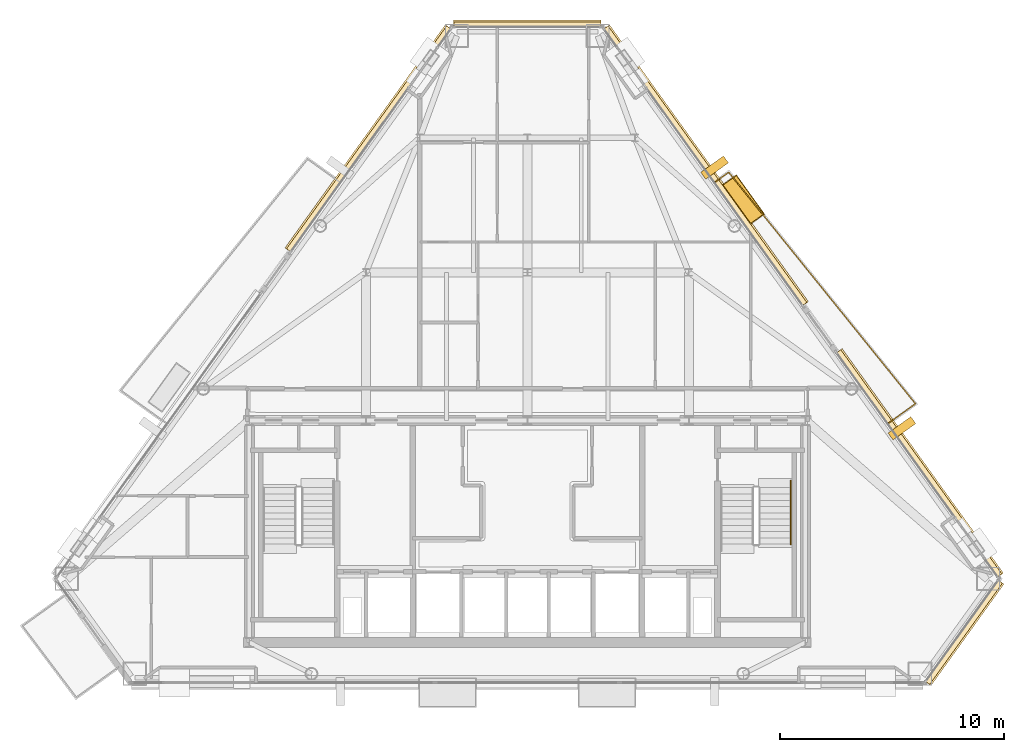
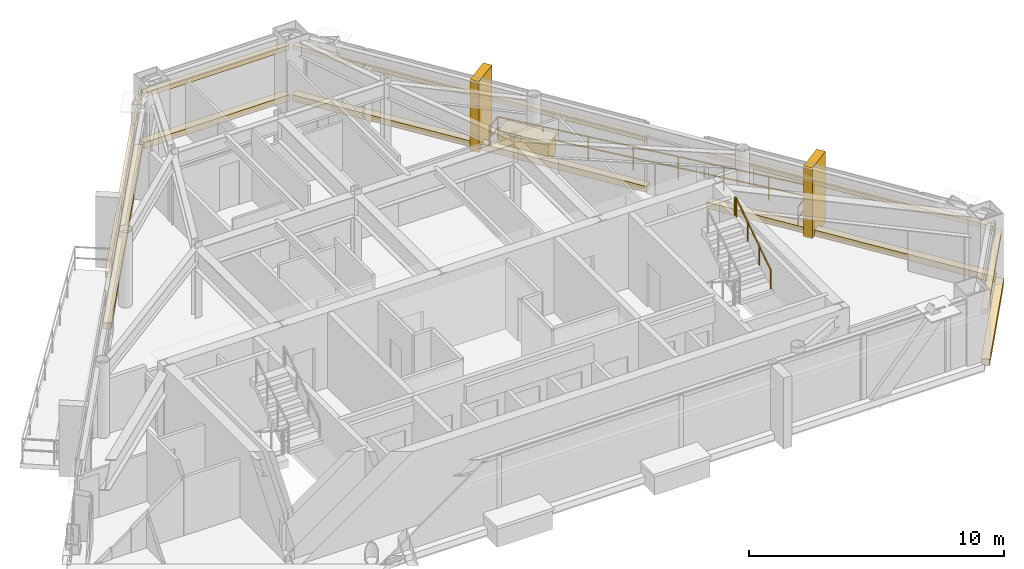
# One storey, part 11 of 11: 14 coverings, 2 railings.
"""IFC4 building model written with IfcOpenShell, lengths in metres."""

from ifc_helpers import new_model, si_unit, direction, frame, origin, origin_2d, place, context, subcontext, project, spatial, rectangle, extrude, material, layer, layer_set, type_object, element, save


model = new_model("IFC4")

# Units and contexts
model_context = context("Model", 3, precision=1e-05, world=origin(), true_north=direction((0.0, 1.0)))
body_context = subcontext(model_context, "Body", "Model", "MODEL_VIEW")
ifc_project = project(units=[si_unit("LENGTHUNIT", "METRE"), si_unit("AREAUNIT", "SQUARE_METRE"), si_unit("VOLUMEUNIT", "CUBIC_METRE"), si_unit("PLANEANGLEUNIT", "RADIAN"), si_unit("MASSUNIT", "GRAM", prefix="KILO")], contexts=[model_context])

# Site, building, storey
site_placement = place(None, origin())
site = spatial("IfcSite", under=ifc_project, at=site_placement, CompositionType="ELEMENT")
building_placement = place(site_placement, origin())
building = spatial("IfcBuilding", under=site, at=building_placement, Name="Talgorran Terracotta Tower", CompositionType="ELEMENT")
storey_placement = place(building_placement, frame((0.0, 0.0, 203.699951171875)))
storey = spatial("IfcBuildingStorey", under=building, at=storey_placement, Name="L53", CompositionType="ELEMENT", Elevation=203.699951171875)

# Coverings
ifc_material_1 = material(Name="Kiln-Fired Terracotta Ochre Ceramic", Category="masonry")
ifc_layer_1 = layer(ifc_material_1, 0.179931640625, Name="COV_BAGUETTE_TERRACOTTA_SCREEN")
ifc_layer_set_1 = layer_set([ifc_layer_1], Name="Kiln-Fired Terracotta Ochre Ceramic")
covering_type_1 = type_object("IfcCoveringType", Name="COV_BAGUETTE_TERRACOTTA_SCREEN", PredefinedType="CLADDING", material=ifc_layer_set_1)
covering_1_placement = place(storey_placement, frame((19.459716796875, -13.6416015625, 2.41015625), z_axis=(0.0, 0.0, 1.0), x_axis=(0.583555384799, 0.812073342053, 0.0)))
element("IfcCovering", 1, at=covering_1_placement, inside=storey, type_object=covering_type_1, Name="L53 Terracotta Baguette Solar Screen Assembly F2", PredefinedType="CLADDING", context=body_context, shape_type="SweptSolid", body=[
    extrude(rectangle(XDim=5.557861328125, YDim=0.260009765625, at=origin_2d()), origin(), (0.0, 0.0, 1.0), 0.219970703125),
])
covering_2_placement = place(storey_placement, frame((17.466552734375, -6.1240234375, 2.41015625), z_axis=(0.0, 0.0, 1.0), x_axis=(-0.583555384799, 0.812073342053, 0.0)))
element("IfcCovering", 2, at=covering_2_placement, inside=storey, type_object=covering_type_1, Name="L53 Terracotta Baguette Solar Screen Assembly F40", PredefinedType="CLADDING", context=body_context, shape_type="SweptSolid", body=[
    extrude(rectangle(XDim=12.30859375, YDim=0.260009765625, at=origin_2d()), origin(), (0.0, 0.0, 1.0), 0.219970703125),
])
covering_3_placement = place(storey_placement, frame((7.926513671875, 7.15185546875, 2.41015625), z_axis=(0.0, 0.0, 1.0), x_axis=(-0.583555384799, 0.812073342053, 0.0)))
element("IfcCovering", 3, at=covering_3_placement, inside=storey, type_object=covering_type_1, Name="L53 Terracotta Baguette Solar Screen Assembly F41", PredefinedType="CLADDING", context=body_context, shape_type="SweptSolid", body=[
    extrude(rectangle(XDim=15.187744140625, YDim=0.260009765625, at=origin_2d()), origin(), (0.0, 0.0, 1.0), 0.219970703125),
])
covering_4_placement = place(storey_placement, frame((0.0, 13.44970703125, 2.41015625), z_axis=(0.0, 0.0, 1.0), x_axis=(-1.0, 0.0, 0.0)))
element("IfcCovering", 4, at=covering_4_placement, inside=storey, type_object=covering_type_1, Name="L53 Terracotta Baguette Solar Screen Assembly F4", PredefinedType="CLADDING", context=body_context, shape_type="SweptSolid", body=[
    extrude(rectangle(XDim=6.5595703125, YDim=0.260009765625, at=origin_2d()), origin(), (0.0, 0.0, 1.0), 0.219970703125),
])
covering_5_placement = place(storey_placement, frame((-7.0654296875, 8.350341796875, 2.41015625), z_axis=(0.0, 0.0, 1.0), x_axis=(-0.583555384799, -0.812073342053, 0.0)))
element("IfcCovering", 5, at=covering_5_placement, inside=storey, type_object=covering_type_1, Name="L53 Terracotta Baguette Solar Screen Assembly F60", PredefinedType="CLADDING", context=body_context, shape_type="SweptSolid", body=[
    extrude(rectangle(XDim=12.236083984375, YDim=0.260009765625, at=origin_2d()), origin(), (0.0, 0.0, 1.0), 0.219970703125),
])
ifc_material_2 = material(Name="Honed Limestone and Terracotta Planter", Category="masonry")
ifc_layer_2 = layer(ifc_material_2, 0.1201171875, Name="COV_PLANTER_BOX")
ifc_layer_set_2 = layer_set([ifc_layer_2], Name="Honed Limestone and Terracotta Planter")
covering_type_2 = type_object("IfcCoveringType", Name="COV_PLANTER_BOX", PredefinedType="CLADDING", material=ifc_layer_set_2)
covering_6_placement = place(storey_placement, frame((9.640380859375, 5.65625, -0.02001953125), z_axis=(0.0, 0.0, 1.0), x_axis=(-0.583555384799, 0.812073342053, 0.0)))
element("IfcCovering", 6, at=covering_6_placement, inside=storey, type_object=covering_type_2, Name="L53 Staggered Balcony Planter Box BAL-NE", PredefinedType="CLADDING", context=body_context, shape_type="SweptSolid", body=[
    extrude(rectangle(XDim=2.10009765625, YDim=0.719970703125, at=origin_2d()), origin(), (0.0, 0.0, 1.0), 0.860107421875),
])
ifc_material_3 = material(Name="Kiln-Fired Terracotta Planter Rim", Category="masonry")
ifc_layer_3 = layer(ifc_material_3, 0.10009765625, Name="COV_PLANTER_RIM")
ifc_layer_set_3 = layer_set([ifc_layer_3], Name="Kiln-Fired Terracotta Planter Rim")
covering_type_3 = type_object("IfcCoveringType", Name="COV_PLANTER_RIM", PredefinedType="CLADDING", material=ifc_layer_set_3)
covering_7_placement = place(storey_placement, frame((9.640380859375, 5.65625, 0.800048828125), z_axis=(0.0, 0.0, 1.0), x_axis=(-0.583555384799, 0.812073342053, 0.0)))
element("IfcCovering", 7, at=covering_7_placement, inside=storey, type_object=covering_type_3, Name="L53 Balcony Planter Terracotta Rim BAL-NE", PredefinedType="CLADDING", context=body_context, shape_type="SweptSolid", body=[
    extrude(rectangle(XDim=2.179931640625, YDim=0.780029296875, at=origin_2d()), origin(), (0.0, 0.0, 1.0), 0.1201171875),
])
ifc_material_4 = material(Name="Honed Limestone Cladding", Category="masonry")
ifc_layer_4 = layer(ifc_material_4, 0.094970703125, Name="COV_PORTAL_LIME")
ifc_layer_set_4 = layer_set([ifc_layer_4], Name="Honed Limestone Cladding")
covering_type_4 = type_object("IfcCoveringType", Name="COV_PORTAL_LIME", PredefinedType="CLADDING", material=ifc_layer_set_4)
covering_8_placement = place(storey_placement, frame((16.705078125, -4.55029296875, -0.050048828125), z_axis=(0.0, 0.0, 1.0), x_axis=(-0.583555384799, 0.812073342053, 0.0)))
element("IfcCovering", 8, at=covering_8_placement, inside=storey, type_object=covering_type_4, Name="L53 White Striped Portal Fin F3-1", PredefinedType="CLADDING", context=body_context, shape_type="SweptSolid", body=[
    extrude(rectangle(XDim=0.3798828125, YDim=1.25, at=origin_2d()), origin(), (0.0, 0.0, 1.0), 3.39501953125),
])
ifc_material_5 = material(Name="Kiln-Fired Terracotta Cladding", Category="masonry")
ifc_layer_5 = layer(ifc_material_5, 0.090087890625, Name="COV_PORTAL_TERRA")
ifc_layer_set_5 = layer_set([ifc_layer_5], Name="Kiln-Fired Terracotta Cladding")
covering_type_5 = type_object("IfcCoveringType", Name="COV_PORTAL_TERRA", PredefinedType="CLADDING", material=ifc_layer_set_5)
covering_9_placement = place(storey_placement, frame((19.4921875, -13.664794921875, -0.0400390625), z_axis=(0.0, 0.0, 1.0), x_axis=(0.583555384799, 0.812073342053, 0.0)))
element("IfcCovering", 9, at=covering_9_placement, inside=storey, type_object=covering_type_5, Name="L53 Striped Postmodern Portal Cladding Band F2", PredefinedType="CLADDING", context=body_context, shape_type="SweptSolid", body=[
    extrude(rectangle(XDim=5.577880859375, YDim=0.340087890625, at=origin_2d()), origin(), (0.0, 0.0, 1.0), 0.300048828125),
])
covering_10_placement = place(storey_placement, frame((17.4990234375, -6.100830078125, -0.0400390625), z_axis=(0.0, 0.0, 1.0), x_axis=(-0.583555384799, 0.812073342053, 0.0)))
element("IfcCovering", 10, at=covering_10_placement, inside=storey, type_object=covering_type_5, Name="L53 Striped Postmodern Portal Cladding Band F40", PredefinedType="CLADDING", context=body_context, shape_type="SweptSolid", body=[
    extrude(rectangle(XDim=12.32861328125, YDim=0.340087890625, at=origin_2d()), origin(), (0.0, 0.0, 1.0), 0.300048828125),
])
covering_11_placement = place(storey_placement, frame((7.958984375, 7.175048828125, -0.0400390625), z_axis=(0.0, 0.0, 1.0), x_axis=(-0.583555384799, 0.812073342053, 0.0)))
element("IfcCovering", 11, at=covering_11_placement, inside=storey, type_object=covering_type_5, Name="L53 Striped Postmodern Portal Cladding Band F41", PredefinedType="CLADDING", context=body_context, shape_type="SweptSolid", body=[
    extrude(rectangle(XDim=15.207763671875, YDim=0.340087890625, at=origin_2d()), origin(), (0.0, 0.0, 1.0), 0.300048828125),
])
covering_12_placement = place(storey_placement, frame((0.0, 13.489501953125, -0.0400390625), z_axis=(0.0, 0.0, 1.0), x_axis=(-1.0, 0.0, 0.0)))
element("IfcCovering", 12, at=covering_12_placement, inside=storey, type_object=covering_type_5, Name="L53 Striped Postmodern Portal Cladding Band F4", PredefinedType="CLADDING", context=body_context, shape_type="SweptSolid", body=[
    extrude(rectangle(XDim=6.57958984375, YDim=0.340087890625, at=origin_2d()), origin(), (0.0, 0.0, 1.0), 0.300048828125),
])
covering_13_placement = place(storey_placement, frame((-7.097900390625, 8.373779296875, -0.0400390625), z_axis=(0.0, 0.0, 1.0), x_axis=(-0.583555384799, -0.812073342053, 0.0)))
element("IfcCovering", 13, at=covering_13_placement, inside=storey, type_object=covering_type_5, Name="L53 Striped Postmodern Portal Cladding Band F60", PredefinedType="CLADDING", context=body_context, shape_type="SweptSolid", body=[
    extrude(rectangle(XDim=12.256103515625, YDim=0.340087890625, at=origin_2d()), origin(), (0.0, 0.0, 1.0), 0.300048828125),
])
covering_14_placement = place(storey_placement, frame((8.349609375, 7.0771484375, -0.050048828125), z_axis=(0.0, 0.0, 1.0), x_axis=(-0.583555384799, 0.812073342053, 0.0)))
element("IfcCovering", 14, at=covering_14_placement, inside=storey, type_object=covering_type_5, Name="L53 Terracotta Striped Portal Fin F3-2", PredefinedType="CLADDING", context=body_context, shape_type="SweptSolid", body=[
    extrude(rectangle(XDim=0.3798828125, YDim=1.25, at=origin_2d()), origin(), (0.0, 0.0, 1.0), 3.39501953125),
])

# Railings
ifc_material_6 = material(Name="Laminated Glass and Stainless Steel 316", Category="steel")
railing_type_1 = type_object("IfcRailingType", Name="RL_BALCONY_1150", PredefinedType="BALUSTRADE", material=ifc_material_6)
railing_1_placement = place(storey_placement, frame((16.0830078125, -4.3359375, 0.0)))
element("IfcRailing", 15, at=railing_1_placement, inside=storey, type_object=railing_type_1, Name="RL-L53-BAL-BAL-NE", PredefinedType="BALUSTRADE", context=body_context, shape_type="SweptSolid", body=[
    extrude(rectangle(XDim=0.048095703125, YDim=0.048095703125, at=origin_2d()), frame((0.0, 0.0, 1.1259765625), z_axis=(0.812156685224, 0.583439387294, 0.0), x_axis=(-0.583439387294, 0.812156685224, 0.0)), (0.0, 0.0, 1.0), 1.50927734375),
    extrude(rectangle(XDim=0.048095703125, YDim=0.048095703125, at=origin_2d()), frame((0.0, 0.0, 0.597900390625), z_axis=(0.812156685224, 0.583439387294, 0.0), x_axis=(-0.583439387294, 0.812156685224, 0.0)), (0.0, 0.0, 1.0), 1.50927734375),
    extrude(rectangle(XDim=0.048095703125, YDim=0.048095703125, at=origin_2d()), frame((1.225830078125, 0.880615234375, 1.1259765625), z_axis=(-0.627975465984, 0.778233136099, 0.0), x_axis=(-0.778233136099, -0.627975465984, 0.0)), (0.0, 0.0, 1.0), 13.264892578125),
    extrude(rectangle(XDim=0.048095703125, YDim=0.048095703125, at=origin_2d()), frame((1.225830078125, 0.880615234375, 0.597900390625), z_axis=(-0.627975465984, 0.778233136099, 0.0), x_axis=(-0.778233136099, -0.627975465984, 0.0)), (0.0, 0.0, 1.0), 13.264892578125),
    extrude(rectangle(XDim=0.048095703125, YDim=0.048095703125, at=origin_2d()), frame((-7.104248046875, 11.203857421875, 1.1259765625), z_axis=(-0.811991855557, -0.583668764377, 0.0), x_axis=(0.583668764377, -0.811991855557, 0.0)), (0.0, 0.0, 1.0), 0.768798828125),
    extrude(rectangle(XDim=0.048095703125, YDim=0.048095703125, at=origin_2d()), frame((-7.104248046875, 11.203857421875, 0.597900390625), z_axis=(-0.811991855557, -0.583668764377, 0.0), x_axis=(0.583668764377, -0.811991855557, 0.0)), (0.0, 0.0, 1.0), 0.768798828125),
    extrude(rectangle(XDim=0.0419921875, YDim=0.0419921875, at=origin_2d()), origin(), (0.0, 0.0, 1.0), 1.101806640625),
    extrude(rectangle(XDim=0.0419921875, YDim=0.0419921875, at=origin_2d()), frame((1.225830078125, 0.880615234375, 0.0)), (0.0, 0.0, 1.0), 1.101806640625),
    extrude(rectangle(XDim=0.0419921875, YDim=0.0419921875, at=origin_2d()), frame((0.035888671875, 2.35546875, 0.0)), (0.0, 0.0, 1.0), 1.101806640625),
    extrude(rectangle(XDim=0.0419921875, YDim=0.0419921875, at=origin_2d()), frame((-1.154296875, 3.830078125, 0.0)), (0.0, 0.0, 1.0), 1.101806640625),
    extrude(rectangle(XDim=0.0419921875, YDim=0.0419921875, at=origin_2d()), frame((-2.34423828125, 5.304931640625, 0.0)), (0.0, 0.0, 1.0), 1.101806640625),
    extrude(rectangle(XDim=0.0419921875, YDim=0.0419921875, at=origin_2d()), frame((-3.5341796875, 6.779541015625, 0.0)), (0.0, 0.0, 1.0), 1.101806640625),
    extrude(rectangle(XDim=0.0419921875, YDim=0.0419921875, at=origin_2d()), frame((-4.72412109375, 8.25439453125, 0.0)), (0.0, 0.0, 1.0), 1.101806640625),
    extrude(rectangle(XDim=0.0419921875, YDim=0.0419921875, at=origin_2d()), frame((-5.914306640625, 9.72900390625, 0.0)), (0.0, 0.0, 1.0), 1.101806640625),
    extrude(rectangle(XDim=0.0419921875, YDim=0.0419921875, at=origin_2d()), frame((-7.104248046875, 11.203857421875, 0.0)), (0.0, 0.0, 1.0), 1.101806640625),
    extrude(rectangle(XDim=0.0419921875, YDim=0.0419921875, at=origin_2d()), frame((-7.728515625, 10.755126953125, 0.0)), (0.0, 0.0, 1.0), 1.101806640625),
])
ifc_material_7 = material(Name="Steel S355 (300PLUS)", Category="steel")
railing_type_2 = type_object("IfcRailingType", Name="RL_HANDRAIL_920", PredefinedType="HANDRAIL", material=ifc_material_7)
railing_2_placement = place(storey_placement, frame((11.75, -9.719970703125, 1.97998046875)))
element("IfcRailing", 16, at=railing_2_placement, inside=storey, type_object=railing_type_2, Name="L53 ST-02 stair handrail 2", PredefinedType="HANDRAIL", context=body_context, shape_type="SweptSolid", body=[
    extrude(rectangle(XDim=0.048095703125, YDim=0.048095703125, at=origin_2d()), frame((0.0, 0.0, 0.89599609375), z_axis=(0.0, 0.832038719335, 0.554717558338), x_axis=(-1.0, 0.0, 0.0)), (0.0, 0.0, 1.0), 3.244873046875),
    extrude(rectangle(XDim=0.048095703125, YDim=0.048095703125, at=origin_2d()), frame((0.0, 2.699951171875, 2.69580078125), z_axis=(0.0, 1.0, 0.0), x_axis=(-1.0, 0.0, 0.0)), (0.0, 0.0, 1.0), 0.1201171875),
    extrude(rectangle(XDim=0.0419921875, YDim=0.0419921875, at=origin_2d()), origin(), (0.0, 0.0, 1.0), 0.871826171875),
    extrude(rectangle(XDim=0.0419921875, YDim=0.0419921875, at=origin_2d()), frame((0.0, 0.89990234375, 0.60009765625)), (0.0, 0.0, 1.0), 0.871826171875),
    extrude(rectangle(XDim=0.0419921875, YDim=0.0419921875, at=origin_2d()), frame((0.0, 1.800048828125, 1.199951171875)), (0.0, 0.0, 1.0), 0.871826171875),
    extrude(rectangle(XDim=0.0419921875, YDim=0.0419921875, at=origin_2d()), frame((0.0, 2.699951171875, 1.800048828125)), (0.0, 0.0, 1.0), 0.871826171875),
    extrude(rectangle(XDim=0.0419921875, YDim=0.0419921875, at=origin_2d()), frame((0.0, 2.820068359375, 1.800048828125)), (0.0, 0.0, 1.0), 0.871826171875),
])

save(model, "model.ifc")
